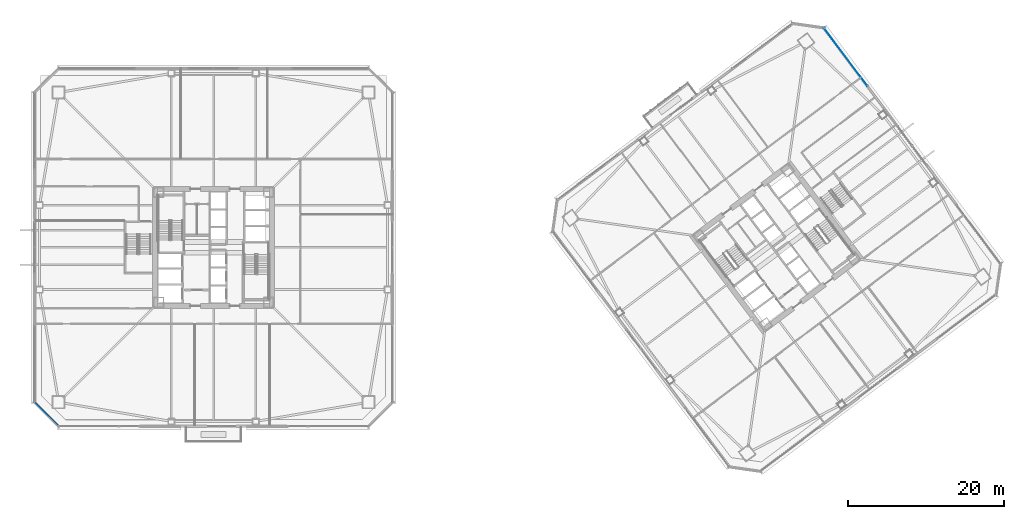
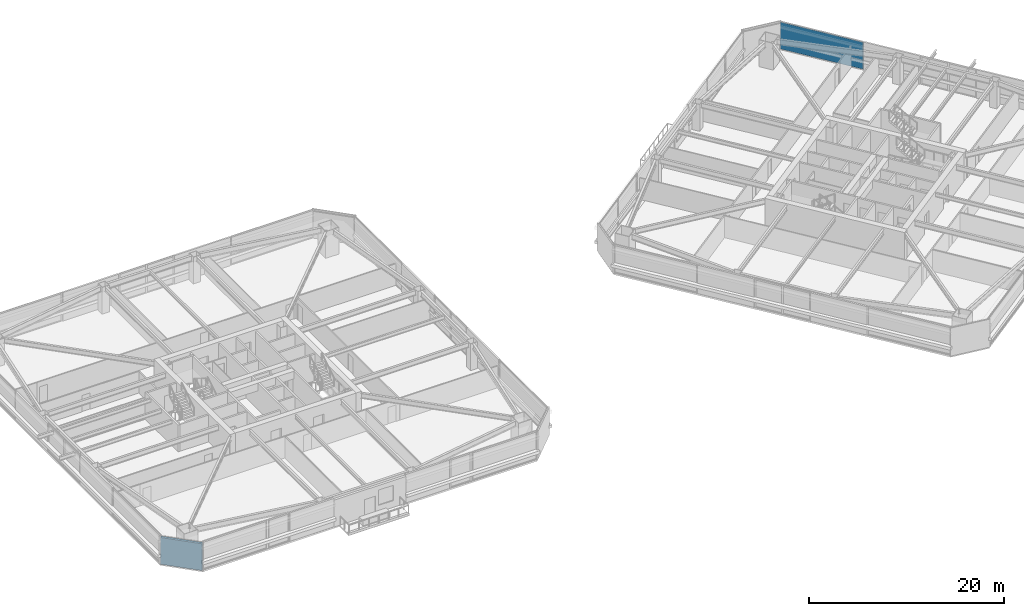
# One storey, part 33 of 46: 1 plate, 1 wall, 1 element without a shape of its own.
"""IFC4 building model written with IfcOpenShell, lengths in metres."""

from ifc_helpers import new_model, si_unit, direction, frame, frame_2d, origin, origin_2d, place, context, subcontext, project, spatial, rectangle, extrude, material, layer, layer_set, type_object, element, aggregate, save


model = new_model("IFC4")

# Units and contexts
model_context = context("Model", 3, precision=1e-05, world=origin(), true_north=direction((0.0, 1.0)))
body_context = subcontext(model_context, "Body", "Model", "MODEL_VIEW")
ifc_project = project(units=[si_unit("LENGTHUNIT", "METRE"), si_unit("AREAUNIT", "SQUARE_METRE"), si_unit("VOLUMEUNIT", "CUBIC_METRE"), si_unit("PLANEANGLEUNIT", "RADIAN"), si_unit("MASSUNIT", "GRAM", prefix="KILO")], contexts=[model_context])

# Site, building, storey
site_placement = place(None, origin())
site = spatial("IfcSite", under=ifc_project, at=site_placement, CompositionType="ELEMENT")
building_placement = place(site_placement, origin())
building = spatial("IfcBuilding", under=site, at=building_placement, Name="Tashvorn Skyway Center", CompositionType="ELEMENT")
storey_placement = place(building_placement, frame((0.0, 0.0, 38.800048828125)))
storey = spatial("IfcBuildingStorey", under=building, at=storey_placement, Name="L09", CompositionType="ELEMENT", Elevation=38.800048828125)

# Curtain wall, plate
ifc_material_1 = material(Name="Thermally broken bronze-anodized aluminium 6063-T6", Category="aluminium")
curtain_wall_type = type_object("IfcCurtainWallType", Name="CW-CW-Z1", PredefinedType="NOTDEFINED", material=ifc_material_1)
curtain_wall_placement = place(storey_placement, origin())
curtain_wall = element("IfcCurtainWall", 1, at=curtain_wall_placement, inside=storey, type_object=curtain_wall_type, Name="Tower 2 L09 East Unitised Curtain Wall Glazing Group 1", PredefinedType="NOTDEFINED")
ifc_material_2 = material(Name="Low-E solar-control double insulating safety glass", Category="glass")
ifc_layer_1 = layer(ifc_material_2, 0.048095703125)
ifc_layer_set_1 = layer_set([ifc_layer_1], Name="Low-E solar-control double insulating safety glass")
plate_type = type_object("IfcPlateType", Name="CWP-CW-Z1", PredefinedType="CURTAIN_PANEL", material=ifc_layer_set_1)
plate_placement = place(storey_placement, frame((122.847900390625, 56.3359375, 0.0849609375), z_axis=(0.0, 0.0, 1.0), x_axis=(0.600000000002, -0.799999999998, 0.0)))
plate = element("IfcPlate", 2, at=plate_placement, type_object=plate_type, Name="CW-Z1 panel 1.1", PredefinedType="CURTAIN_PANEL", context=body_context, shape_type="SweptSolid", body=[
    extrude(rectangle(XDim=9.27001953125, YDim=0.048095703125, at=origin_2d()), origin(), (0.0, 0.0, 1.0), 3.3798828125),
])
aggregate(curtain_wall, [plate])

# Wall
ifc_material_3 = material(Name="Precast concrete C40/50", Category="concrete")
ifc_layer_2 = layer(ifc_material_3, 0.280029296875)
ifc_layer_set_2 = layer_set([ifc_layer_2], Name="Precast concrete C40/50")
wall_type = type_object("IfcWallType", Name="WALL-EXT-280", PredefinedType="SOLIDWALL", material=ifc_layer_set_2)
wall_placement = place(storey_placement, frame((22.199951171875, 9.10009765625, 0.0), z_axis=(0.0, 0.0, 1.0), x_axis=(-0.707106781187, 0.707106781187, 0.0)))
element("IfcWall", 3, at=wall_placement, inside=storey, type_object=wall_type, Name="Tower 1 L09 SW Precast Chamfer Wall", PredefinedType="SOLIDWALL", context=body_context, shape_type="SweptSolid", body=[
    extrude(rectangle(XDim=4.3837890625, YDim=0.280029296875, at=frame_2d((2.19189453125, 0.0))), origin(), (0.0, 0.0, 1.0), 3.349853515625),
])

save(model, "model.ifc")
